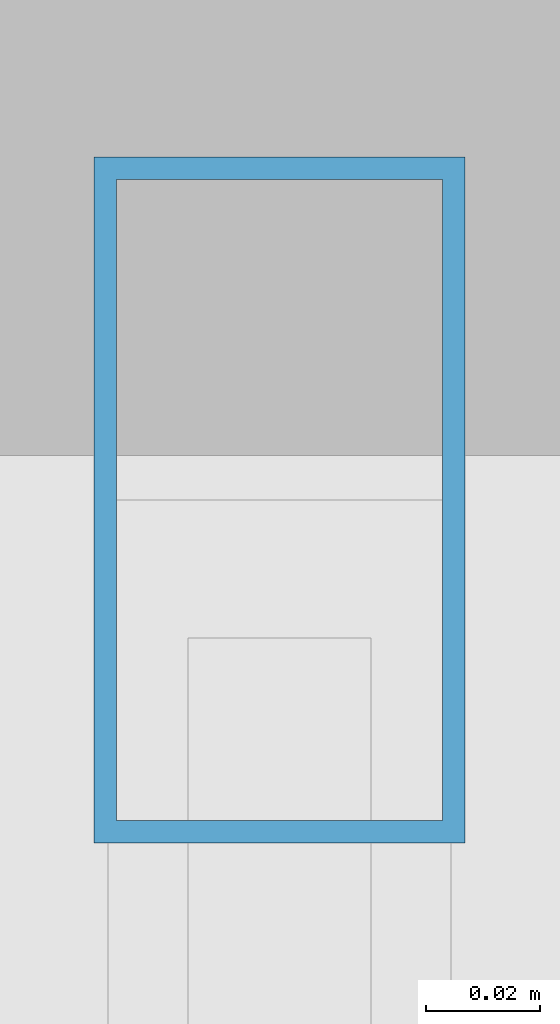
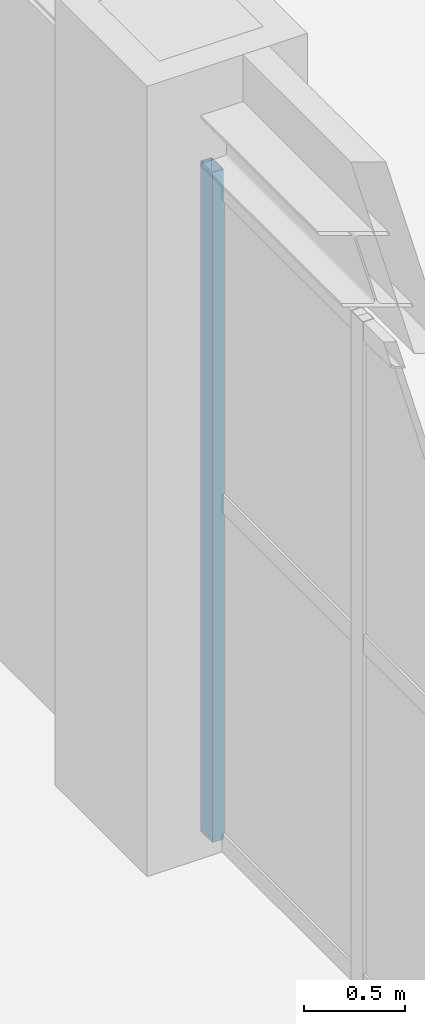
# One storey, part 21 of 83: 1 member, 1 element without a shape of its own.
"""IFC4 building model written with IfcOpenShell, lengths in metres."""

from ifc_helpers import new_model, si_unit, direction, frame, origin, origin_2d, place, context, subcontext, project, spatial, hollow_rectangle, extrude, material, material_profile, profile_set, type_object, element, aggregate, save


model = new_model("IFC4")

# Units and contexts
model_context = context("Model", 3, precision=1e-05, world=origin(), true_north=direction((0.0, 1.0)))
body_context = subcontext(model_context, "Body", "Model", "MODEL_VIEW")
ifc_project = project(units=[si_unit("LENGTHUNIT", "METRE"), si_unit("AREAUNIT", "SQUARE_METRE"), si_unit("VOLUMEUNIT", "CUBIC_METRE"), si_unit("PLANEANGLEUNIT", "RADIAN"), si_unit("MASSUNIT", "GRAM", prefix="KILO")], contexts=[model_context])

# Site, building, storey
site_placement = place(None, origin())
site = spatial("IfcSite", under=ifc_project, at=site_placement, CompositionType="ELEMENT")
building_placement = place(site_placement, origin())
building = spatial("IfcBuilding", under=site, at=building_placement, Name="Mavantir Sound Aquarium", CompositionType="ELEMENT")
storey_placement = place(building_placement, frame((0.0, 0.0, 10.5)))
storey = spatial("IfcBuildingStorey", under=building, at=storey_placement, Name="L02", CompositionType="ELEMENT", Elevation=10.5)

# Curtain wall, member
ifc_material_1 = material(Name="Anodised Marine Aluminium and Low-E Glass", Category="aluminium")
curtain_wall_type = type_object("IfcCurtainWallType", Name="CW-T20", PredefinedType="USERDEFINED", material=ifc_material_1)
curtain_wall_placement = place(storey_placement, origin())
curtain_wall = element("IfcCurtainWall", 1, at=curtain_wall_placement, inside=storey, type_object=curtain_wall_type, Name="L02 unitised curtain wall CW-20 140", ObjectType="UNITISED GLAZING", PredefinedType="USERDEFINED")
ifc_material_2 = material(Name="Anodised Marine Aluminium 6063-T6", Category="aluminium")
ifc_material_profile = material_profile(ifc_material_2, hollow_rectangle(XDim=0.06494140625, YDim=0.1201171875, WallThickness=0.00390625, at=origin_2d()), Name="ALU-MULLION-120X65")
ifc_profile_set = profile_set([ifc_material_profile], Name="Anodised Marine Aluminium 6063-T6")
member_type = type_object("IfcMemberType", Name="CW-MUL-120", PredefinedType="MULLION", material=ifc_profile_set)
member_placement = place(storey_placement, frame((28.800048828125, 92.89208984375, 0.0), z_axis=(0.0, 0.0, 1.0), x_axis=(1.0, 0.0, 0.0)))
member = element("IfcMember", 2, at=member_placement, type_object=member_type, Name="CW-L02-140 vertical mullion 7", PredefinedType="MULLION", context=body_context, shape_type="SweptSolid", body=[
    extrude(hollow_rectangle(XDim=0.06494140625, YDim=0.1201171875, WallThickness=0.00390625, at=origin_2d()), origin(), (0.0, 0.0, 1.0), 4.069091796875),
])
aggregate(curtain_wall, [member])

save(model, "model.ifc")
